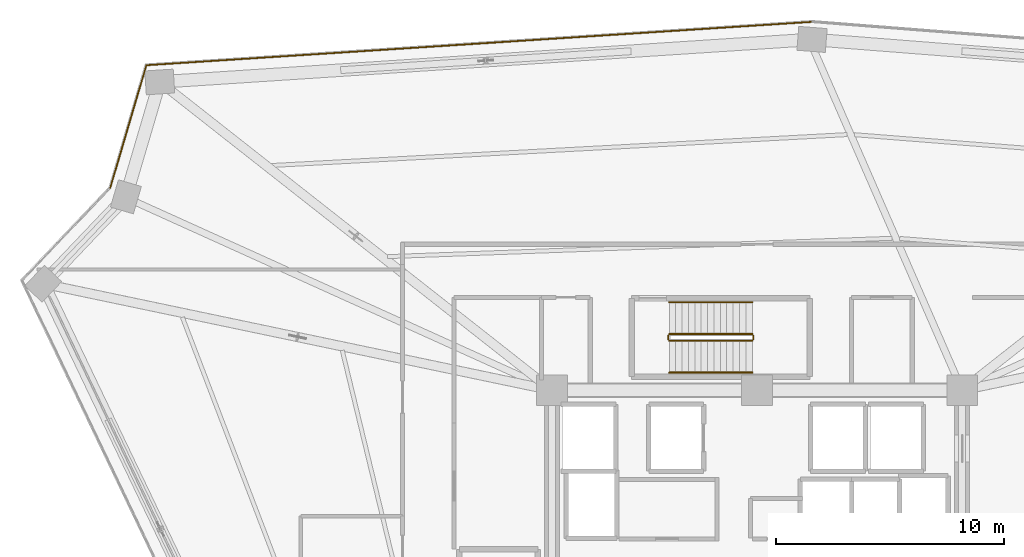
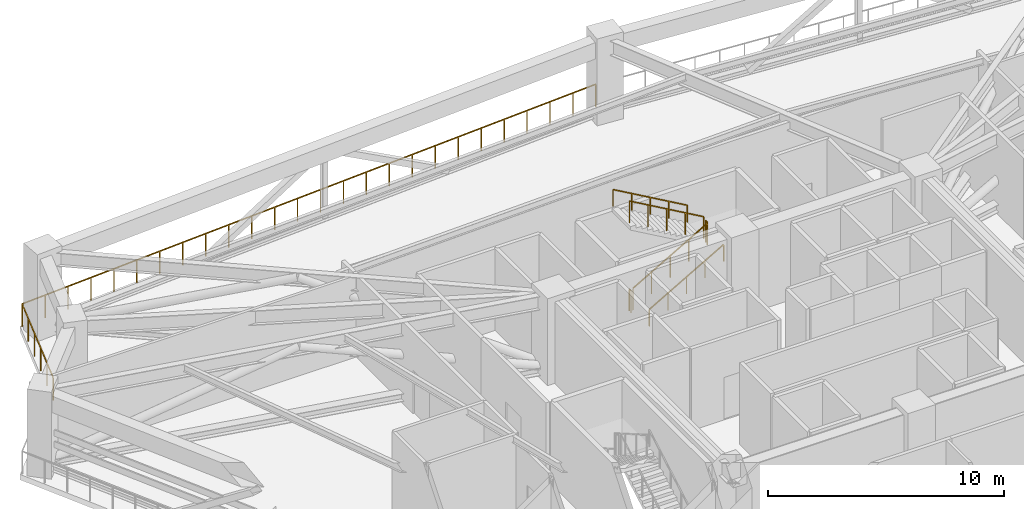
# One storey, part 21 of 22: 8 railings.
"""IFC4 building model written with IfcOpenShell, lengths in metres."""

import ifcopenshell
import ifcopenshell.guid

model = None  # the IFC model being written
_history = None  # IfcOwnerHistory: only IFC2X3 demands one
_inside = {}  # id of a spatial element -> (the spatial element, [elements in it])
_under = {}  # id of a project, library or spatial element -> (it, [spatial elements below it])
_declared = {}  # id of a project -> (the project, [libraries it declares])
_typed = {}  # id of a type object -> (the type object, [elements of that type])
_made_of = {}  # id of a material, layer set ... -> (it, [elements and type objects made of it])


def new_model(schema):
    """Start an empty IFC model of exactly this schema.

    Asked for "IFC4X3", IfcOpenShell would pick the latest addendum, in which some entities
    have other attributes; the version numbers below select the first issue.
    IFC2X3 requires an IfcOwnerHistory on every rooted entity: one is made here for all.
    """
    global model, _history
    if schema == "IFC4X3":
        model = ifcopenshell.file(schema_version=(4, 3, 0, 0))
    else:
        model = ifcopenshell.file(schema=schema)
    _inside.clear()
    _under.clear()
    _declared.clear()
    _typed.clear()
    _made_of.clear()
    _history = None
    if model.schema == "IFC2X3":
        org = make("IfcOrganization", Name="unknown")
        user = make(
            "IfcPersonAndOrganization",
            ThePerson=make("IfcPerson", FamilyName="unknown"),
            TheOrganization=org,
        )
        app = make(
            "IfcApplication",
            ApplicationDeveloper=org,
            Version="unknown",
            ApplicationFullName="unknown",
            ApplicationIdentifier="unknown",
        )
        _history = make(
            "IfcOwnerHistory",
            OwningUser=user,
            OwningApplication=app,
            ChangeAction="ADDED",
            CreationDate=0,
        )
    return model


def make(cls, **values):
    """One entity of the class cls with the attributes given. An attribute that is None is left unset."""
    return model.create_entity(
        cls, **{name: value for name, value in values.items() if value is not None}
    )


def rooted(cls, **values):
    """An entity with a GlobalId (a new one), such as an element, a storey or a relation."""
    return make(cls, GlobalId=ifcopenshell.guid.new(), OwnerHistory=_history, **values)


def si_unit(unit_type, name, prefix=None):
    """IfcSIUnit, for example si_unit("LENGTHUNIT", "METRE", prefix="MILLI")."""
    return make("IfcSIUnit", UnitType=unit_type, Prefix=prefix, Name=name)


def assignment(units):
    """IfcUnitAssignment: the units of a project."""
    return None if units is None else make("IfcUnitAssignment", Units=units)


def point(xyz):
    """IfcCartesianPoint."""
    return None if xyz is None else make("IfcCartesianPoint", Coordinates=xyz)


def direction(xyz):
    """IfcDirection."""
    return None if xyz is None else make("IfcDirection", DirectionRatios=xyz)


def frame(location, z_axis=None, x_axis=None):
    """IfcAxis2Placement3D, a coordinate frame: its origin and axes. An axis left out is left unset."""
    return make(
        "IfcAxis2Placement3D",
        Location=point(location),
        Axis=direction(z_axis),
        RefDirection=direction(x_axis),
    )


def frame_2d(location, x_axis=None):
    """IfcAxis2Placement2D, a coordinate frame in the plane: its origin and x axis."""
    return make(
        "IfcAxis2Placement2D", Location=point(location), RefDirection=direction(x_axis)
    )


def origin():
    """The frame at (0, 0, 0) with its axes left unset."""
    return frame((0.0, 0.0, 0.0))


def origin_2d():
    """The frame at (0, 0) in the plane with its x axis left unset."""
    return frame_2d((0.0, 0.0))


def place(relative_to, where):
    """IfcLocalPlacement: puts the frame where relative to a parent placement (None: the world)."""
    return make(
        "IfcLocalPlacement", PlacementRelTo=relative_to, RelativePlacement=where
    )


def context(
    kind, dimensions, precision=None, world=None, true_north=None, identifier=None
):
    """IfcGeometricRepresentationContext, for example the 3D "Model" context."""
    return make(
        "IfcGeometricRepresentationContext",
        ContextIdentifier=identifier,
        ContextType=kind,
        CoordinateSpaceDimension=dimensions,
        Precision=precision,
        WorldCoordinateSystem=world,
        TrueNorth=true_north,
    )


def subcontext(parent, identifier, kind, view, scale=None):
    """IfcGeometricRepresentationSubContext, for example "Body" below "Model"."""
    return make(
        "IfcGeometricRepresentationSubContext",
        ContextIdentifier=identifier,
        ContextType=kind,
        ParentContext=parent,
        TargetScale=scale,
        TargetView=view,
    )


def project(units=None, contexts=None):
    """IfcProject with its units and contexts."""
    return rooted(
        "IfcProject",
        Name="project",
        RepresentationContexts=contexts,
        UnitsInContext=assignment(units),
    )


def spatial(cls, under=None, at=None, **own):
    """A site, building, storey or space (cls), placed at a placement, below another one or the project."""
    s = rooted(cls, ObjectPlacement=at, **own)
    if under is not None:
        _under.setdefault(under.id(), (under, []))[1].append(s)
    return s


def profile(cls, at=None, kind="AREA", **sizes):
    """A parametric profile (cls). Its sizes go by their IFC names, for example OverallWidth=200.0."""
    return make(cls, ProfileType=kind, Position=at, **sizes)


def rectangle(**sizes):
    """IfcRectangleProfileDef."""
    return profile("IfcRectangleProfileDef", **sizes)


def extrude(swept, where, along, depth):
    """IfcExtrudedAreaSolid: the profile swept, set in the frame where, extruded along a direction by depth."""
    return make(
        "IfcExtrudedAreaSolid",
        SweptArea=swept,
        Position=where,
        ExtrudedDirection=direction(along),
        Depth=depth,
    )


def shape(context_of_items, identifier, shape_type, items):
    """IfcShapeRepresentation: the items that make up one representation, for example the "Body"."""
    return make(
        "IfcShapeRepresentation",
        ContextOfItems=context_of_items,
        RepresentationIdentifier=identifier,
        RepresentationType=shape_type,
        Items=items,
    )


def material(Name=None, Category=None):
    """IfcMaterial."""
    return make("IfcMaterial", Name=Name, Category=Category)


def made_of(thing, what):
    """Note that an element or type object is made of a material, layer set ...; save() writes the relation."""
    if what is not None:
        _made_of.setdefault(what.id(), (what, []))[1].append(thing)
    return thing


def type_object(cls, material=None, **own):
    """A type object (cls), such as IfcWallType, which elements share."""
    return made_of(rooted(cls, **own), material)


def element(
    cls,
    number,
    at=None,
    inside=None,
    cuts=None,
    type_object=None,
    material=None,
    context=None,
    identifier="Body",
    shape_type=None,
    held_by="IfcProductDefinitionShape",
    body=None,
    shapes=None,
    **own,
):
    """One element of the class cls, such as IfcWall. Its Tag is "e" and its number.

    at: its placement. inside: the storey or other place that contains it. cuts: it is an
    opening in that element (IfcRelVoidsElement). A single representation is given by context,
    identifier, shape_type and body (its items); several are given by shapes. held_by: the class
    of the entity that holds the representations. save() writes the other relations.
    """
    e = rooted(cls, Tag="e%d" % number, ObjectPlacement=at, **own)
    if body is not None:
        shapes = [shape(context, identifier, shape_type, body)]
    if shapes is not None:
        e.Representation = make(held_by, Representations=shapes)
    if inside is not None:
        _inside.setdefault(inside.id(), (inside, []))[1].append(e)
    if cuts is not None:
        rooted(
            "IfcRelVoidsElement", RelatingBuildingElement=cuts, RelatedOpeningElement=e
        )
    if type_object is not None:
        _typed.setdefault(type_object.id(), (type_object, []))[1].append(e)
    return made_of(e, material)


def aggregate(whole, parts):
    """IfcRelAggregates: a whole, such as a stair, and the parts it consists of."""
    return rooted("IfcRelAggregates", RelatingObject=whole, RelatedObjects=parts)


def save(model, path):
    """Write the relations noted so far, then the file.

    IfcRelAggregates (storeys below a building ...), IfcRelContainedInSpatialStructure (elements
    in a storey), IfcRelDefinesByType, IfcRelAssociatesMaterial and IfcRelDeclares: one each for
    every whole, place, type object, material and project.
    """
    for whole, parts in _under.values():
        aggregate(whole, parts)
    for where, things in _inside.values():
        rooted(
            "IfcRelContainedInSpatialStructure",
            RelatedElements=things,
            RelatingStructure=where,
        )
    for kind, things in _typed.values():
        rooted("IfcRelDefinesByType", RelatedObjects=things, RelatingType=kind)
    for what, things in _made_of.values():
        rooted("IfcRelAssociatesMaterial", RelatedObjects=things, RelatingMaterial=what)
    for by, libraries in _declared.values():
        rooted("IfcRelDeclares", RelatingContext=by, RelatedDefinitions=libraries)
    model.write(path)


model = new_model("IFC4")

# Units and contexts
model_context = context("Model", 3, precision=1e-05, world=origin(), true_north=direction((0.0, 1.0)))
body_context = subcontext(model_context, "Body", "Model", "MODEL_VIEW")
ifc_project = project(units=[si_unit("LENGTHUNIT", "METRE"), si_unit("AREAUNIT", "SQUARE_METRE"), si_unit("VOLUMEUNIT", "CUBIC_METRE"), si_unit("PLANEANGLEUNIT", "RADIAN"), si_unit("MASSUNIT", "GRAM", prefix="KILO")], contexts=[model_context])

# Site, building, storey
site_placement = place(None, origin())
site = spatial("IfcSite", under=ifc_project, at=site_placement, CompositionType="ELEMENT")
building_placement = place(site_placement, origin())
building = spatial("IfcBuilding", under=site, at=building_placement, Name="Liaohun Quay Tower", CompositionType="ELEMENT")
storey_placement = place(building_placement, frame((0.0, 0.0, 277.5)))
storey = spatial("IfcBuildingStorey", under=building, at=storey_placement, Name="L72", CompositionType="ELEMENT", Elevation=277.5)

# Railings
ifc_material_1 = material(Name="Galvanised and powder-coated steel", Category="steel")
railing_type_1 = type_object("IfcRailingType", Name="RLG-GUARD-EXT", PredefinedType="GUARDRAIL", material=ifc_material_1)
railing_1_placement = place(storey_placement, frame((31.615966796875, 70.387939453125, 0.0)))
element("IfcRailing", 1, at=railing_1_placement, inside=storey, type_object=railing_type_1, Name="L72 Open Refuge Band Perimeter Guardrail 04", PredefinedType="GUARDRAIL", context=body_context, shape_type="SweptSolid", body=[
    extrude(rectangle(XDim=0.048095703125, YDim=0.048095703125, at=origin_2d()), frame((0.0, 0.0, 1.17578125), z_axis=(0.282682561462, 0.959213516088, 0.0), x_axis=(-0.959213516088, 0.282682561462, 0.0)), (0.0, 0.0, 1.0), 5.60693359375),
    extrude(rectangle(XDim=0.0419921875, YDim=0.0419921875, at=origin_2d()), origin(), (0.0, 0.0, 1.0), 1.15185546875),
    extrude(rectangle(XDim=0.0419921875, YDim=0.0419921875, at=origin_2d()), frame((0.31689453125, 1.07568359375, 0.0)), (0.0, 0.0, 1.0), 1.15185546875),
    extrude(rectangle(XDim=0.0419921875, YDim=0.0419921875, at=origin_2d()), frame((0.634033203125, 2.1513671875, 0.0)), (0.0, 0.0, 1.0), 1.15185546875),
    extrude(rectangle(XDim=0.0419921875, YDim=0.0419921875, at=origin_2d()), frame((0.950927734375, 3.226806640625, 0.0)), (0.0, 0.0, 1.0), 1.15185546875),
    extrude(rectangle(XDim=0.0419921875, YDim=0.0419921875, at=origin_2d()), frame((1.26806640625, 4.302490234375, 0.0)), (0.0, 0.0, 1.0), 1.15185546875),
    extrude(rectangle(XDim=0.0419921875, YDim=0.0419921875, at=origin_2d()), frame((1.5849609375, 5.378173828125, 0.0)), (0.0, 0.0, 1.0), 1.15185546875),
])
railing_2_placement = place(storey_placement, frame((33.200927734375, 75.76611328125, 0.0)))
element("IfcRailing", 2, at=railing_2_placement, inside=storey, type_object=railing_type_1, Name="L72 Open Refuge Band Perimeter Guardrail 05", PredefinedType="GUARDRAIL", context=body_context, shape_type="SweptSolid", body=[
    extrude(rectangle(XDim=0.048095703125, YDim=0.048095703125, at=origin_2d()), frame((0.0, 0.0, 1.17578125), z_axis=(0.997881318375, 0.065060544403, 0.0), x_axis=(-0.065060544403, 0.997881318375, 0.0)), (0.0, 0.0, 1.0), 29.277099609375),
    extrude(rectangle(XDim=0.0419921875, YDim=0.0419921875, at=origin_2d()), origin(), (0.0, 0.0, 1.0), 1.15185546875),
    extrude(rectangle(XDim=0.0419921875, YDim=0.0419921875, at=origin_2d()), frame((1.168701171875, 0.076171875, 0.0)), (0.0, 0.0, 1.0), 1.15185546875),
    extrude(rectangle(XDim=0.0419921875, YDim=0.0419921875, at=origin_2d()), frame((2.337158203125, 0.15234375, 0.0)), (0.0, 0.0, 1.0), 1.15185546875),
    extrude(rectangle(XDim=0.0419921875, YDim=0.0419921875, at=origin_2d()), frame((3.505859375, 0.228515625, 0.0)), (0.0, 0.0, 1.0), 1.15185546875),
    extrude(rectangle(XDim=0.0419921875, YDim=0.0419921875, at=origin_2d()), frame((4.67431640625, 0.3046875, 0.0)), (0.0, 0.0, 1.0), 1.15185546875),
    extrude(rectangle(XDim=0.0419921875, YDim=0.0419921875, at=origin_2d()), frame((5.843017578125, 0.380859375, 0.0)), (0.0, 0.0, 1.0), 1.15185546875),
    extrude(rectangle(XDim=0.0419921875, YDim=0.0419921875, at=origin_2d()), frame((7.01171875, 0.45703125, 0.0)), (0.0, 0.0, 1.0), 1.15185546875),
    extrude(rectangle(XDim=0.0419921875, YDim=0.0419921875, at=origin_2d()), frame((8.18017578125, 0.533447265625, 0.0)), (0.0, 0.0, 1.0), 1.15185546875),
    extrude(rectangle(XDim=0.0419921875, YDim=0.0419921875, at=origin_2d()), frame((9.348876953125, 0.609619140625, 0.0)), (0.0, 0.0, 1.0), 1.15185546875),
    extrude(rectangle(XDim=0.0419921875, YDim=0.0419921875, at=origin_2d()), frame((10.517333984375, 0.685791015625, 0.0)), (0.0, 0.0, 1.0), 1.15185546875),
    extrude(rectangle(XDim=0.0419921875, YDim=0.0419921875, at=origin_2d()), frame((11.68603515625, 0.761962890625, 0.0)), (0.0, 0.0, 1.0), 1.15185546875),
    extrude(rectangle(XDim=0.0419921875, YDim=0.0419921875, at=origin_2d()), frame((12.854736328125, 0.838134765625, 0.0)), (0.0, 0.0, 1.0), 1.15185546875),
    extrude(rectangle(XDim=0.0419921875, YDim=0.0419921875, at=origin_2d()), frame((14.023193359375, 0.914306640625, 0.0)), (0.0, 0.0, 1.0), 1.15185546875),
    extrude(rectangle(XDim=0.0419921875, YDim=0.0419921875, at=origin_2d()), frame((15.19189453125, 0.990478515625, 0.0)), (0.0, 0.0, 1.0), 1.15185546875),
    extrude(rectangle(XDim=0.0419921875, YDim=0.0419921875, at=origin_2d()), frame((16.3603515625, 1.066650390625, 0.0)), (0.0, 0.0, 1.0), 1.15185546875),
    extrude(rectangle(XDim=0.0419921875, YDim=0.0419921875, at=origin_2d()), frame((17.529052734375, 1.142822265625, 0.0)), (0.0, 0.0, 1.0), 1.15185546875),
    extrude(rectangle(XDim=0.0419921875, YDim=0.0419921875, at=origin_2d()), frame((18.69775390625, 1.218994140625, 0.0)), (0.0, 0.0, 1.0), 1.15185546875),
    extrude(rectangle(XDim=0.0419921875, YDim=0.0419921875, at=origin_2d()), frame((19.8662109375, 1.295166015625, 0.0)), (0.0, 0.0, 1.0), 1.15185546875),
    extrude(rectangle(XDim=0.0419921875, YDim=0.0419921875, at=origin_2d()), frame((21.034912109375, 1.371337890625, 0.0)), (0.0, 0.0, 1.0), 1.15185546875),
    extrude(rectangle(XDim=0.0419921875, YDim=0.0419921875, at=origin_2d()), frame((22.203369140625, 1.44775390625, 0.0)), (0.0, 0.0, 1.0), 1.15185546875),
    extrude(rectangle(XDim=0.0419921875, YDim=0.0419921875, at=origin_2d()), frame((23.3720703125, 1.52392578125, 0.0)), (0.0, 0.0, 1.0), 1.15185546875),
    extrude(rectangle(XDim=0.0419921875, YDim=0.0419921875, at=origin_2d()), frame((24.540771484375, 1.60009765625, 0.0)), (0.0, 0.0, 1.0), 1.15185546875),
    extrude(rectangle(XDim=0.0419921875, YDim=0.0419921875, at=origin_2d()), frame((25.709228515625, 1.67626953125, 0.0)), (0.0, 0.0, 1.0), 1.15185546875),
    extrude(rectangle(XDim=0.0419921875, YDim=0.0419921875, at=origin_2d()), frame((26.8779296875, 1.75244140625, 0.0)), (0.0, 0.0, 1.0), 1.15185546875),
    extrude(rectangle(XDim=0.0419921875, YDim=0.0419921875, at=origin_2d()), frame((28.04638671875, 1.82861328125, 0.0)), (0.0, 0.0, 1.0), 1.15185546875),
    extrude(rectangle(XDim=0.0419921875, YDim=0.0419921875, at=origin_2d()), frame((29.215087890625, 1.90478515625, 0.0)), (0.0, 0.0, 1.0), 1.15185546875),
])
ifc_material_2 = material(Name="Painted tubular steel", Category="steel")
railing_type_2 = type_object("IfcRailingType", Name="RLG-GUARD-STR", PredefinedType="GUARDRAIL", material=ifc_material_2)
railing_3_placement = place(storey_placement, frame((56.14990234375, 63.669921875, 0.16064453125)))
element("IfcRailing", 3, at=railing_3_placement, inside=storey, type_object=railing_type_2, Name="L72 ST-3 stair guard 1", PredefinedType="GUARDRAIL", context=body_context, shape_type="SweptSolid", body=[
    extrude(rectangle(XDim=0.048095703125, YDim=0.048095703125, at=origin_2d()), frame((0.0, 0.0, 1.1259765625), z_axis=(0.867289372828, 0.0, 0.497804322781), x_axis=(0.0, 1.0, 0.0)), (0.0, 0.0, 1.0), 4.197021484375),
    extrude(rectangle(XDim=0.0419921875, YDim=0.0419921875, at=origin_2d()), origin(), (0.0, 0.0, 1.0), 1.101806640625),
    extrude(rectangle(XDim=0.0419921875, YDim=0.0419921875, at=origin_2d()), frame((0.91015625, 0.0, 0.5224609375)), (0.0, 0.0, 1.0), 1.101806640625),
    extrude(rectangle(XDim=0.0419921875, YDim=0.0419921875, at=origin_2d()), frame((1.820068359375, 0.0, 1.044677734375)), (0.0, 0.0, 1.0), 1.101806640625),
    extrude(rectangle(XDim=0.0419921875, YDim=0.0419921875, at=origin_2d()), frame((2.72998046875, 0.0, 1.56689453125)), (0.0, 0.0, 1.0), 1.101806640625),
    extrude(rectangle(XDim=0.0419921875, YDim=0.0419921875, at=origin_2d()), frame((3.64013671875, 0.0, 2.08935546875)), (0.0, 0.0, 1.0), 1.101806640625),
])
railing_4_placement = place(storey_placement, frame((59.840087890625, 63.75, 2.25)))
element("IfcRailing", 4, at=railing_4_placement, inside=storey, type_object=railing_type_2, Name="L72 ST-3 stair guard 2", PredefinedType="GUARDRAIL", context=body_context, shape_type="SweptSolid", body=[
    extrude(rectangle(XDim=0.048095703125, YDim=0.048095703125, at=origin_2d()), frame((0.0, 0.0, 1.1259765625), z_axis=(0.0, 1.0, 0.0), x_axis=(-1.0, 0.0, 0.0)), (0.0, 0.0, 1.0), 0.139892578125),
    extrude(rectangle(XDim=0.0419921875, YDim=0.0419921875, at=origin_2d()), origin(), (0.0, 0.0, 1.0), 1.101806640625),
    extrude(rectangle(XDim=0.0419921875, YDim=0.0419921875, at=origin_2d()), frame((0.0, 0.139892578125, 0.0)), (0.0, 0.0, 1.0), 1.101806640625),
])
railing_5_placement = place(storey_placement, frame((59.7900390625, 63.969970703125, 2.41064453125)))
element("IfcRailing", 5, at=railing_5_placement, inside=storey, type_object=railing_type_2, Name="L72 ST-3 stair guard 3", PredefinedType="GUARDRAIL", context=body_context, shape_type="SweptSolid", body=[
    extrude(rectangle(XDim=0.048095703125, YDim=0.048095703125, at=origin_2d()), frame((0.0, 0.0, 1.1259765625), z_axis=(-0.867289372828, 0.0, 0.497804322781), x_axis=(0.0, -1.0, 0.0)), (0.0, 0.0, 1.0), 4.197021484375),
    extrude(rectangle(XDim=0.0419921875, YDim=0.0419921875, at=origin_2d()), origin(), (0.0, 0.0, 1.0), 1.101806640625),
    extrude(rectangle(XDim=0.0419921875, YDim=0.0419921875, at=origin_2d()), frame((-0.91015625, 0.0, 0.5224609375)), (0.0, 0.0, 1.0), 1.101806640625),
    extrude(rectangle(XDim=0.0419921875, YDim=0.0419921875, at=origin_2d()), frame((-1.820068359375, 0.0, 1.044677734375)), (0.0, 0.0, 1.0), 1.101806640625),
    extrude(rectangle(XDim=0.0419921875, YDim=0.0419921875, at=origin_2d()), frame((-2.72998046875, 0.0, 1.56689453125)), (0.0, 0.0, 1.0), 1.101806640625),
    extrude(rectangle(XDim=0.0419921875, YDim=0.0419921875, at=origin_2d()), frame((-3.64013671875, 0.0, 2.08935546875)), (0.0, 0.0, 1.0), 1.101806640625),
])
railing_6_placement = place(storey_placement, frame((56.10009765625, 63.75, 0.0)))
element("IfcRailing", 6, at=railing_6_placement, inside=storey, type_object=railing_type_2, Name="L72 ST-3 stair guard 4", PredefinedType="GUARDRAIL", context=body_context, shape_type="SweptSolid", body=[
    extrude(rectangle(XDim=0.048095703125, YDim=0.048095703125, at=origin_2d()), frame((0.0, 0.0, 1.1259765625), z_axis=(0.0, 1.0, 0.0), x_axis=(-1.0, 0.0, 0.0)), (0.0, 0.0, 1.0), 0.139892578125),
    extrude(rectangle(XDim=0.0419921875, YDim=0.0419921875, at=origin_2d()), origin(), (0.0, 0.0, 1.0), 1.101806640625),
    extrude(rectangle(XDim=0.0419921875, YDim=0.0419921875, at=origin_2d()), frame((0.0, 0.139892578125, 0.0)), (0.0, 0.0, 1.0), 1.101806640625),
])
ifc_material_3 = material(Name="Brushed stainless steel", Category="steel")
railing_type_3 = type_object("IfcRailingType", Name="RLG-HND-STR", PredefinedType="HANDRAIL", material=ifc_material_3)
railing_7_placement = place(storey_placement, frame((56.14990234375, 62.280029296875, 0.16064453125)))
element("IfcRailing", 7, at=railing_7_placement, inside=storey, type_object=railing_type_3, Name="L72 ST-3 stair handrail 1", PredefinedType="HANDRAIL", context=body_context, shape_type="SweptSolid", body=[
    extrude(rectangle(XDim=0.048095703125, YDim=0.048095703125, at=origin_2d()), frame((0.0, 0.0, 0.8759765625), z_axis=(0.867289372828, 0.0, 0.497804322781), x_axis=(0.0, 1.0, 0.0)), (0.0, 0.0, 1.0), 4.197021484375),
    extrude(rectangle(XDim=0.0419921875, YDim=0.0419921875, at=origin_2d()), origin(), (0.0, 0.0, 1.0), 0.851806640625),
    extrude(rectangle(XDim=0.0419921875, YDim=0.0419921875, at=origin_2d()), frame((0.91015625, 0.0, 0.5224609375)), (0.0, 0.0, 1.0), 0.851806640625),
    extrude(rectangle(XDim=0.0419921875, YDim=0.0419921875, at=origin_2d()), frame((1.820068359375, 0.0, 1.044677734375)), (0.0, 0.0, 1.0), 0.851806640625),
    extrude(rectangle(XDim=0.0419921875, YDim=0.0419921875, at=origin_2d()), frame((2.72998046875, 0.0, 1.56689453125)), (0.0, 0.0, 1.0), 0.851806640625),
    extrude(rectangle(XDim=0.0419921875, YDim=0.0419921875, at=origin_2d()), frame((3.64013671875, 0.0, 2.08935546875)), (0.0, 0.0, 1.0), 0.851806640625),
])
railing_8_placement = place(storey_placement, frame((59.7900390625, 65.360107421875, 2.41064453125)))
element("IfcRailing", 8, at=railing_8_placement, inside=storey, type_object=railing_type_3, Name="L72 ST-3 stair handrail 2", PredefinedType="HANDRAIL", context=body_context, shape_type="SweptSolid", body=[
    extrude(rectangle(XDim=0.048095703125, YDim=0.048095703125, at=origin_2d()), frame((0.0, 0.0, 0.8759765625), z_axis=(-0.867289372828, 0.0, 0.497804322781), x_axis=(0.0, -1.0, 0.0)), (0.0, 0.0, 1.0), 4.197021484375),
    extrude(rectangle(XDim=0.0419921875, YDim=0.0419921875, at=origin_2d()), origin(), (0.0, 0.0, 1.0), 0.851806640625),
    extrude(rectangle(XDim=0.0419921875, YDim=0.0419921875, at=origin_2d()), frame((-0.91015625, 0.0, 0.5224609375)), (0.0, 0.0, 1.0), 0.851806640625),
    extrude(rectangle(XDim=0.0419921875, YDim=0.0419921875, at=origin_2d()), frame((-1.820068359375, 0.0, 1.044677734375)), (0.0, 0.0, 1.0), 0.851806640625),
    extrude(rectangle(XDim=0.0419921875, YDim=0.0419921875, at=origin_2d()), frame((-2.72998046875, 0.0, 1.56689453125)), (0.0, 0.0, 1.0), 0.851806640625),
    extrude(rectangle(XDim=0.0419921875, YDim=0.0419921875, at=origin_2d()), frame((-3.64013671875, 0.0, 2.08935546875)), (0.0, 0.0, 1.0), 0.851806640625),
])

save(model, "model.ifc")
